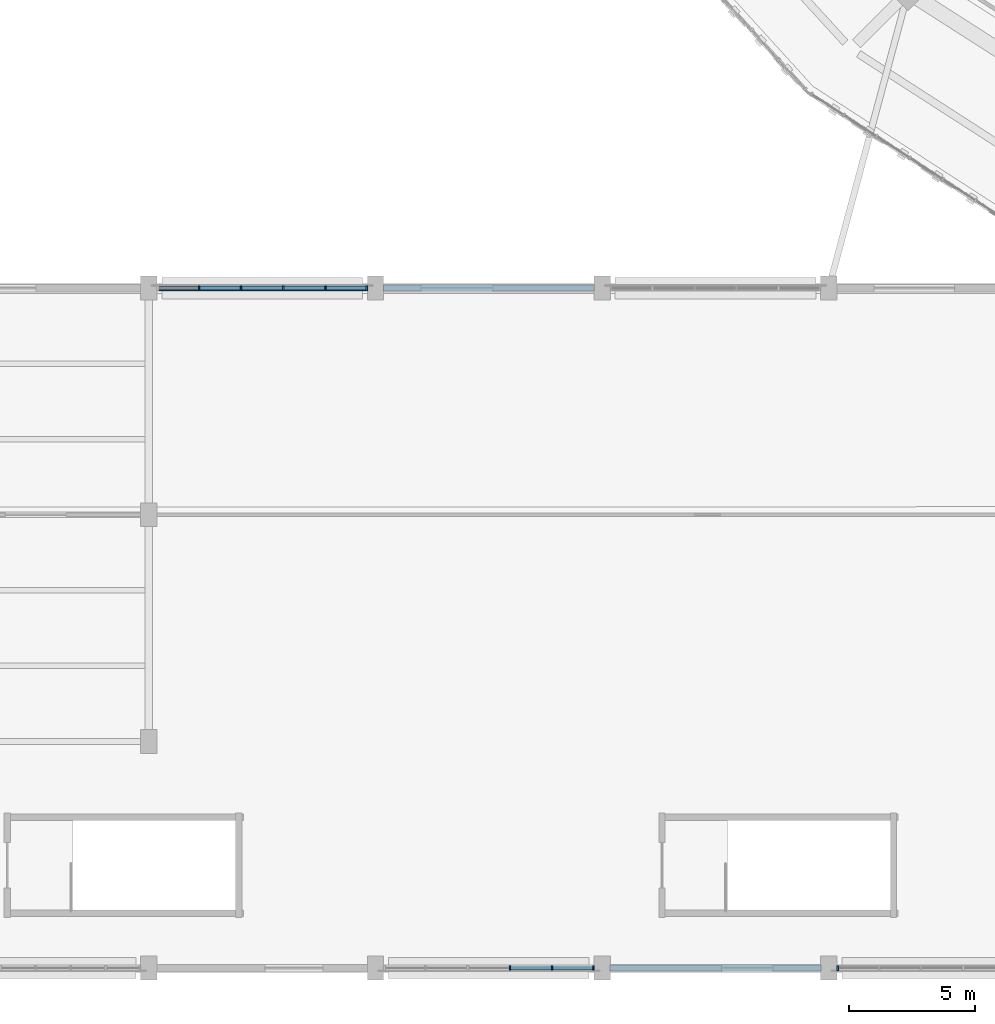
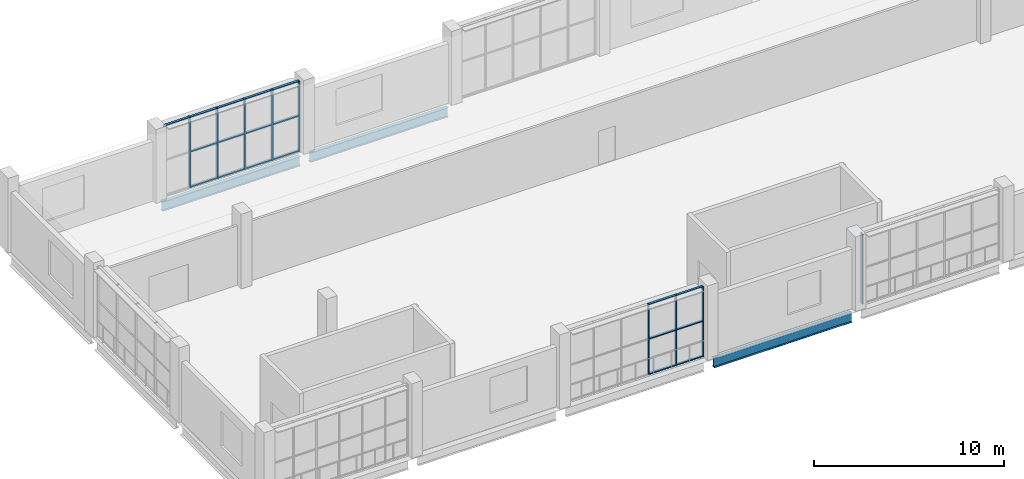
# One storey, part 4 of 152: 28 members, 3 beams, 3 elements without a shape of their own.
"""IFC4 building model written with IfcOpenShell, lengths in metres."""

from ifc_helpers import new_model, si_unit, direction, frame, origin, origin_2d, place, context, subcontext, project, spatial, rectangle, i_section, extrude, material, material_profile, profile_set, type_object, element, aggregate, save


model = new_model("IFC4")

# Units and contexts
model_context = context("Model", 3, precision=1e-05, world=origin(), true_north=direction((0.0, 1.0)))
body_context = subcontext(model_context, "Body", "Model", "MODEL_VIEW")
ifc_project = project(units=[si_unit("LENGTHUNIT", "METRE"), si_unit("AREAUNIT", "SQUARE_METRE"), si_unit("VOLUMEUNIT", "CUBIC_METRE"), si_unit("PLANEANGLEUNIT", "RADIAN"), si_unit("MASSUNIT", "GRAM", prefix="KILO")], contexts=[model_context])

# Site, building, storey
site_placement = place(None, origin())
site = spatial("IfcSite", under=ifc_project, at=site_placement, CompositionType="ELEMENT")
building_placement = place(site_placement, origin())
building = spatial("IfcBuilding", under=site, at=building_placement, Name="Zevraka Park Crest Stadium", CompositionType="ELEMENT")
storey_placement = place(building_placement, frame((0.0, 0.0, 15.0)))
storey = spatial("IfcBuildingStorey", under=building, at=storey_placement, Name="L03", CompositionType="ELEMENT", Elevation=15.0)

# Beams
ifc_material_1 = material(Name="Steel S355", Category="steel")
ifc_material_profile_1 = material_profile(ifc_material_1, i_section(OverallWidth=0.22900390625, OverallDepth=0.612060546875, WebThickness=0.011962890625, FlangeThickness=0.01953125, at=origin_2d()), Name="UKB 610x229x125")
ifc_profile_set_1 = profile_set([ifc_material_profile_1], Name="Steel S355")
beam_type = type_object("IfcBeamType", Name="BG09", PredefinedType="BEAM", material=ifc_profile_set_1)
for number, where, z_axis, x_axis, name in (
    (1, (18.300048828125, 27.0, -0.614013671875), (1.0, 0.0, 0.0), (0.0, 1.0, 0.0), "Wing Girder BG09 L03-34/D"),
    (2, (27.300048828125, 27.0, -0.614013671875), (1.0, 0.0, 0.0), (0.0, 1.0, 0.0), "Wing Girder BG09 L03-45/D"),
    (3, (36.300048828125, 0.0, -0.614013671875), (1.0, 0.0, 0.0), (0.0, 1.0, 0.0), "Wing Girder BG09 L03-56/A"),
):
    element("IfcBeam", number, at=place(storey_placement, frame(where, z_axis=z_axis, x_axis=x_axis)), inside=storey, type_object=beam_type, Name=name, PredefinedType="BEAM", context=body_context, shape_type="SweptSolid", body=[
        extrude(i_section(OverallWidth=0.22900390625, OverallDepth=0.612060546875, WebThickness=0.011962890625, FlangeThickness=0.01953125, at=origin_2d()), origin(), (0.0, 0.0, 1.0), 8.39990234375),
    ])

# Curtain wall, members
ifc_material_2 = material(Name="Anodised architectural aluminium and laminated safety glass", Category="aluminium")
curtain_wall_type_1 = type_object("IfcCurtainWallType", Name="CW29", PredefinedType="NOTDEFINED", material=ifc_material_2)
curtain_wall_1_placement = place(storey_placement, origin())
curtain_wall_1 = element("IfcCurtainWall", 4, at=curtain_wall_1_placement, inside=storey, type_object=curtain_wall_type_1, Name="Wing Curtain Wall CW29 L03-SW-S3-6", PredefinedType="NOTDEFINED")
ifc_material_3 = material(Name="Anodised architectural aluminium", Category="aluminium")
ifc_material_profile_2 = material_profile(ifc_material_3, rectangle(XDim=0.179931640625, YDim=0.06494140625, at=origin_2d()), Name="ALU MULLION 180x65")
ifc_profile_set_2 = profile_set([ifc_material_profile_2], Name="Anodised architectural aluminium")
member_type_1 = type_object("IfcMemberType", Name="CM02", PredefinedType="MULLION", material=ifc_profile_set_2)
member_1_placement = place(storey_placement, frame((35.652587890625, 0.0, 0.0), z_axis=(0.0, 0.0, 1.0), x_axis=(0.0, -1.0, 0.0)))
member_1 = element("IfcMember", 5, at=member_1_placement, type_object=member_type_1, Name="CW29 mullion 1", PredefinedType="MULLION", context=body_context, shape_type="SweptSolid", body=[
    extrude(rectangle(XDim=0.179931640625, YDim=0.06494140625, at=origin_2d()), origin(), (0.0, 0.0, 1.0), 4.5400390625),
])
member_2_placement = place(storey_placement, frame((34.010986328125, 0.0, 0.0), z_axis=(0.0, 0.0, 1.0), x_axis=(0.0, -1.0, 0.0)))
member_2 = element("IfcMember", 6, at=member_2_placement, type_object=member_type_1, Name="CW29 mullion 2", PredefinedType="MULLION", context=body_context, shape_type="SweptSolid", body=[
    extrude(rectangle(XDim=0.179931640625, YDim=0.06494140625, at=origin_2d()), origin(), (0.0, 0.0, 1.0), 4.5400390625),
])
member_3_placement = place(storey_placement, frame((32.3369140625, 0.0, 0.0), z_axis=(0.0, 0.0, 1.0), x_axis=(0.0, -1.0, 0.0)))
member_3 = element("IfcMember", 7, at=member_3_placement, type_object=member_type_1, Name="CW29 mullion 3", PredefinedType="MULLION", context=body_context, shape_type="SweptSolid", body=[
    extrude(rectangle(XDim=0.179931640625, YDim=0.06494140625, at=origin_2d()), origin(), (0.0, 0.0, 1.0), 4.5400390625),
])

# Curtain wall, member
ifc_material_4 = material(Name="Anodised architectural aluminium and laminated safety glass", Category="aluminium")
curtain_wall_type_2 = type_object("IfcCurtainWallType", Name="CW27", PredefinedType="NOTDEFINED", material=ifc_material_4)
curtain_wall_2_placement = place(storey_placement, origin())
curtain_wall_2 = element("IfcCurtainWall", 8, at=curtain_wall_2_placement, inside=storey, type_object=curtain_wall_type_2, Name="Wing Curtain Wall CW27 L03-SW-S3-4", PredefinedType="NOTDEFINED")
ifc_material_5 = material(Name="Anodised architectural aluminium", Category="aluminium")
ifc_material_profile_3 = material_profile(ifc_material_5, rectangle(XDim=0.199951171875, YDim=0.070068359375, at=origin_2d()), Name="ALU MULLION 200x70")
ifc_profile_set_3 = profile_set([ifc_material_profile_3], Name="Anodised architectural aluminium")
member_type_2 = type_object("IfcMemberType", Name="CM03", PredefinedType="MULLION", material=ifc_profile_set_3)
member_4_placement = place(storey_placement, frame((45.35009765625, 0.0, 0.0), z_axis=(0.0, 0.0, 1.0), x_axis=(0.0, -1.0, 0.0)))
member_4 = element("IfcMember", 9, at=member_4_placement, type_object=member_type_2, Name="CW27 mullion 6", PredefinedType="MULLION", context=body_context, shape_type="SweptSolid", body=[
    extrude(rectangle(XDim=0.199951171875, YDim=0.070068359375, at=origin_2d()), origin(), (0.0, 0.0, 1.0), 4.5400390625),
])
aggregate(curtain_wall_2, [member_4])

# Curtain wall, members
ifc_material_6 = material(Name="Anodised architectural aluminium and laminated safety glass", Category="aluminium")
curtain_wall_type_3 = type_object("IfcCurtainWallType", Name="CW30", PredefinedType="NOTDEFINED", material=ifc_material_6)
curtain_wall_3_placement = place(storey_placement, origin())
curtain_wall_3 = element("IfcCurtainWall", 10, at=curtain_wall_3_placement, inside=storey, type_object=curtain_wall_type_3, Name="Wing Curtain Wall CW30 L03-SW-N-2", PredefinedType="NOTDEFINED")
member_5_placement = place(storey_placement, frame((19.989013671875, 27.0, 0.0), z_axis=(0.0, 0.0, 1.0), x_axis=(0.0, 1.0, 0.0)))
member_5 = element("IfcMember", 11, at=member_5_placement, type_object=member_type_2, Name="CW30 mullion 2", PredefinedType="MULLION", context=body_context, shape_type="SweptSolid", body=[
    extrude(rectangle(XDim=0.199951171875, YDim=0.070068359375, at=origin_2d()), origin(), (0.0, 0.0, 1.0), 4.5400390625),
])
member_6_placement = place(storey_placement, frame((21.6630859375, 27.0, 0.0), z_axis=(0.0, 0.0, 1.0), x_axis=(0.0, 1.0, 0.0)))
member_6 = element("IfcMember", 12, at=member_6_placement, type_object=member_type_2, Name="CW30 mullion 3", PredefinedType="MULLION", context=body_context, shape_type="SweptSolid", body=[
    extrude(rectangle(XDim=0.199951171875, YDim=0.070068359375, at=origin_2d()), origin(), (0.0, 0.0, 1.0), 4.5400390625),
])
member_7_placement = place(storey_placement, frame((23.3369140625, 27.0, 0.0), z_axis=(0.0, 0.0, 1.0), x_axis=(0.0, 1.0, 0.0)))
member_7 = element("IfcMember", 13, at=member_7_placement, type_object=member_type_2, Name="CW30 mullion 4", PredefinedType="MULLION", context=body_context, shape_type="SweptSolid", body=[
    extrude(rectangle(XDim=0.199951171875, YDim=0.070068359375, at=origin_2d()), origin(), (0.0, 0.0, 1.0), 4.5400390625),
])
member_8_placement = place(storey_placement, frame((25.010986328125, 27.0, 0.0), z_axis=(0.0, 0.0, 1.0), x_axis=(0.0, 1.0, 0.0)))
member_8 = element("IfcMember", 14, at=member_8_placement, type_object=member_type_2, Name="CW30 mullion 5", PredefinedType="MULLION", context=body_context, shape_type="SweptSolid", body=[
    extrude(rectangle(XDim=0.199951171875, YDim=0.070068359375, at=origin_2d()), origin(), (0.0, 0.0, 1.0), 4.5400390625),
])
member_9_placement = place(storey_placement, frame((26.64990234375, 27.0, 0.0), z_axis=(0.0, 0.0, 1.0), x_axis=(0.0, 1.0, 0.0)))
member_9 = element("IfcMember", 15, at=member_9_placement, type_object=member_type_2, Name="CW30 mullion 6", PredefinedType="MULLION", context=body_context, shape_type="SweptSolid", body=[
    extrude(rectangle(XDim=0.199951171875, YDim=0.070068359375, at=origin_2d()), origin(), (0.0, 0.0, 1.0), 4.5400390625),
])

# Member
ifc_material_7 = material(Name="Anodised architectural aluminium", Category="aluminium")
ifc_material_profile_4 = material_profile(ifc_material_7, rectangle(XDim=0.139892578125, YDim=0.06494140625, at=origin_2d()), Name="ALU TRANSOM 140x65")
ifc_profile_set_4 = profile_set([ifc_material_profile_4], Name="Anodised architectural aluminium")
member_type_3 = type_object("IfcMemberType", Name="CT02", PredefinedType="USERDEFINED", material=ifc_profile_set_4)
member_10_placement = place(storey_placement, frame((35.6201171875, 0.0, 0.032470703125), z_axis=(-1.0, 0.0, 0.0), x_axis=(0.0, -1.0, 0.0)))
member_10 = element("IfcMember", 16, at=member_10_placement, type_object=member_type_3, Name="CW29 transom 1.1", ObjectType="TRANSOM", PredefinedType="USERDEFINED", context=body_context, shape_type="SweptSolid", body=[
    extrude(rectangle(XDim=0.139892578125, YDim=0.06494140625, at=origin_2d()), origin(), (0.0, 0.0, 1.0), 1.57666015625),
])

member_11_placement = place(storey_placement, frame((35.6201171875, 0.0, 2.300048828125), z_axis=(-1.0, 0.0, 0.0), x_axis=(0.0, -1.0, 0.0)))
member_11 = element("IfcMember", 17, at=member_11_placement, type_object=member_type_3, Name="CW29 transom 1.2", ObjectType="TRANSOM", PredefinedType="USERDEFINED", context=body_context, shape_type="SweptSolid", body=[
    extrude(rectangle(XDim=0.139892578125, YDim=0.06494140625, at=origin_2d()), origin(), (0.0, 0.0, 1.0), 1.57666015625),
])

member_12_placement = place(storey_placement, frame((35.6201171875, 0.0, 4.507568359375), z_axis=(-1.0, 0.0, 0.0), x_axis=(0.0, -1.0, 0.0)))
member_12 = element("IfcMember", 18, at=member_12_placement, type_object=member_type_3, Name="CW29 transom 1.3", ObjectType="TRANSOM", PredefinedType="USERDEFINED", context=body_context, shape_type="SweptSolid", body=[
    extrude(rectangle(XDim=0.139892578125, YDim=0.06494140625, at=origin_2d()), origin(), (0.0, 0.0, 1.0), 1.57666015625),
])

member_13_placement = place(storey_placement, frame((33.978515625, 0.0, 0.032470703125), z_axis=(-1.0, 0.0, 0.0), x_axis=(0.0, -1.0, 0.0)))
member_13 = element("IfcMember", 19, at=member_13_placement, type_object=member_type_3, Name="CW29 transom 2.1", ObjectType="TRANSOM", PredefinedType="USERDEFINED", context=body_context, shape_type="SweptSolid", body=[
    extrude(rectangle(XDim=0.139892578125, YDim=0.06494140625, at=origin_2d()), origin(), (0.0, 0.0, 1.0), 1.609130859375),
])

member_14_placement = place(storey_placement, frame((33.978515625, 0.0, 2.300048828125), z_axis=(-1.0, 0.0, 0.0), x_axis=(0.0, -1.0, 0.0)))
member_14 = element("IfcMember", 20, at=member_14_placement, type_object=member_type_3, Name="CW29 transom 2.2", ObjectType="TRANSOM", PredefinedType="USERDEFINED", context=body_context, shape_type="SweptSolid", body=[
    extrude(rectangle(XDim=0.139892578125, YDim=0.06494140625, at=origin_2d()), origin(), (0.0, 0.0, 1.0), 1.609130859375),
])

member_15_placement = place(storey_placement, frame((33.978515625, 0.0, 4.507568359375), z_axis=(-1.0, 0.0, 0.0), x_axis=(0.0, -1.0, 0.0)))
member_15 = element("IfcMember", 21, at=member_15_placement, type_object=member_type_3, Name="CW29 transom 2.3", ObjectType="TRANSOM", PredefinedType="USERDEFINED", context=body_context, shape_type="SweptSolid", body=[
    extrude(rectangle(XDim=0.139892578125, YDim=0.06494140625, at=origin_2d()), origin(), (0.0, 0.0, 1.0), 1.609130859375),
])

aggregate(curtain_wall_1, [member_1, member_2, member_3, member_10, member_11, member_12, member_13, member_14, member_15])

ifc_material_8 = material(Name="Anodised architectural aluminium", Category="aluminium")
ifc_material_profile_5 = material_profile(ifc_material_8, rectangle(XDim=0.14990234375, YDim=0.070068359375, at=origin_2d()), Name="ALU TRANSOM 150x70")
ifc_profile_set_5 = profile_set([ifc_material_profile_5], Name="Anodised architectural aluminium")
member_type_4 = type_object("IfcMemberType", Name="CT03", PredefinedType="USERDEFINED", material=ifc_profile_set_5)
member_16_placement = place(storey_placement, frame((18.385009765625, 27.0, 4.5048828125), z_axis=(1.0, 0.0, 0.0), x_axis=(0.0, 1.0, 0.0)))
member_16 = element("IfcMember", 22, at=member_16_placement, type_object=member_type_4, Name="CW30 transom 1.3", ObjectType="TRANSOM", PredefinedType="USERDEFINED", context=body_context, shape_type="SweptSolid", body=[
    extrude(rectangle(XDim=0.14990234375, YDim=0.070068359375, at=origin_2d()), origin(), (0.0, 0.0, 1.0), 1.569091796875),
])

member_17_placement = place(storey_placement, frame((20.02392578125, 27.0, 0.034912109375), z_axis=(1.0, 0.0, 0.0), x_axis=(0.0, 1.0, 0.0)))
member_17 = element("IfcMember", 23, at=member_17_placement, type_object=member_type_4, Name="CW30 transom 2.1", ObjectType="TRANSOM", PredefinedType="USERDEFINED", context=body_context, shape_type="SweptSolid", body=[
    extrude(rectangle(XDim=0.14990234375, YDim=0.070068359375, at=origin_2d()), origin(), (0.0, 0.0, 1.0), 1.60400390625),
])

member_18_placement = place(storey_placement, frame((20.02392578125, 27.0, 2.300048828125), z_axis=(1.0, 0.0, 0.0), x_axis=(0.0, 1.0, 0.0)))
member_18 = element("IfcMember", 24, at=member_18_placement, type_object=member_type_4, Name="CW30 transom 2.2", ObjectType="TRANSOM", PredefinedType="USERDEFINED", context=body_context, shape_type="SweptSolid", body=[
    extrude(rectangle(XDim=0.14990234375, YDim=0.070068359375, at=origin_2d()), origin(), (0.0, 0.0, 1.0), 1.60400390625),
])

member_19_placement = place(storey_placement, frame((20.02392578125, 27.0, 4.5048828125), z_axis=(1.0, 0.0, 0.0), x_axis=(0.0, 1.0, 0.0)))
member_19 = element("IfcMember", 25, at=member_19_placement, type_object=member_type_4, Name="CW30 transom 2.3", ObjectType="TRANSOM", PredefinedType="USERDEFINED", context=body_context, shape_type="SweptSolid", body=[
    extrude(rectangle(XDim=0.14990234375, YDim=0.070068359375, at=origin_2d()), origin(), (0.0, 0.0, 1.0), 1.60400390625),
])

member_20_placement = place(storey_placement, frame((21.697998046875, 27.0, 0.034912109375), z_axis=(1.0, 0.0, 0.0), x_axis=(0.0, 1.0, 0.0)))
member_20 = element("IfcMember", 26, at=member_20_placement, type_object=member_type_4, Name="CW30 transom 3.1", ObjectType="TRANSOM", PredefinedType="USERDEFINED", context=body_context, shape_type="SweptSolid", body=[
    extrude(rectangle(XDim=0.14990234375, YDim=0.070068359375, at=origin_2d()), origin(), (0.0, 0.0, 1.0), 1.60400390625),
])

member_21_placement = place(storey_placement, frame((21.697998046875, 27.0, 2.300048828125), z_axis=(1.0, 0.0, 0.0), x_axis=(0.0, 1.0, 0.0)))
member_21 = element("IfcMember", 27, at=member_21_placement, type_object=member_type_4, Name="CW30 transom 3.2", ObjectType="TRANSOM", PredefinedType="USERDEFINED", context=body_context, shape_type="SweptSolid", body=[
    extrude(rectangle(XDim=0.14990234375, YDim=0.070068359375, at=origin_2d()), origin(), (0.0, 0.0, 1.0), 1.60400390625),
])

member_22_placement = place(storey_placement, frame((21.697998046875, 27.0, 4.5048828125), z_axis=(1.0, 0.0, 0.0), x_axis=(0.0, 1.0, 0.0)))
member_22 = element("IfcMember", 28, at=member_22_placement, type_object=member_type_4, Name="CW30 transom 3.3", ObjectType="TRANSOM", PredefinedType="USERDEFINED", context=body_context, shape_type="SweptSolid", body=[
    extrude(rectangle(XDim=0.14990234375, YDim=0.070068359375, at=origin_2d()), origin(), (0.0, 0.0, 1.0), 1.60400390625),
])

member_23_placement = place(storey_placement, frame((23.3720703125, 27.0, 0.034912109375), z_axis=(1.0, 0.0, 0.0), x_axis=(0.0, 1.0, 0.0)))
member_23 = element("IfcMember", 29, at=member_23_placement, type_object=member_type_4, Name="CW30 transom 4.1", ObjectType="TRANSOM", PredefinedType="USERDEFINED", context=body_context, shape_type="SweptSolid", body=[
    extrude(rectangle(XDim=0.14990234375, YDim=0.070068359375, at=origin_2d()), origin(), (0.0, 0.0, 1.0), 1.60400390625),
])

member_24_placement = place(storey_placement, frame((23.3720703125, 27.0, 2.300048828125), z_axis=(1.0, 0.0, 0.0), x_axis=(0.0, 1.0, 0.0)))
member_24 = element("IfcMember", 30, at=member_24_placement, type_object=member_type_4, Name="CW30 transom 4.2", ObjectType="TRANSOM", PredefinedType="USERDEFINED", context=body_context, shape_type="SweptSolid", body=[
    extrude(rectangle(XDim=0.14990234375, YDim=0.070068359375, at=origin_2d()), origin(), (0.0, 0.0, 1.0), 1.60400390625),
])

member_25_placement = place(storey_placement, frame((23.3720703125, 27.0, 4.5048828125), z_axis=(1.0, 0.0, 0.0), x_axis=(0.0, 1.0, 0.0)))
member_25 = element("IfcMember", 31, at=member_25_placement, type_object=member_type_4, Name="CW30 transom 4.3", ObjectType="TRANSOM", PredefinedType="USERDEFINED", context=body_context, shape_type="SweptSolid", body=[
    extrude(rectangle(XDim=0.14990234375, YDim=0.070068359375, at=origin_2d()), origin(), (0.0, 0.0, 1.0), 1.60400390625),
])

member_26_placement = place(storey_placement, frame((25.0458984375, 27.0, 0.034912109375), z_axis=(1.0, 0.0, 0.0), x_axis=(0.0, 1.0, 0.0)))
member_26 = element("IfcMember", 32, at=member_26_placement, type_object=member_type_4, Name="CW30 transom 5.1", ObjectType="TRANSOM", PredefinedType="USERDEFINED", context=body_context, shape_type="SweptSolid", body=[
    extrude(rectangle(XDim=0.14990234375, YDim=0.070068359375, at=origin_2d()), origin(), (0.0, 0.0, 1.0), 1.569091796875),
])

member_27_placement = place(storey_placement, frame((25.0458984375, 27.0, 2.300048828125), z_axis=(1.0, 0.0, 0.0), x_axis=(0.0, 1.0, 0.0)))
member_27 = element("IfcMember", 33, at=member_27_placement, type_object=member_type_4, Name="CW30 transom 5.2", ObjectType="TRANSOM", PredefinedType="USERDEFINED", context=body_context, shape_type="SweptSolid", body=[
    extrude(rectangle(XDim=0.14990234375, YDim=0.070068359375, at=origin_2d()), origin(), (0.0, 0.0, 1.0), 1.569091796875),
])

member_28_placement = place(storey_placement, frame((25.0458984375, 27.0, 4.5048828125), z_axis=(1.0, 0.0, 0.0), x_axis=(0.0, 1.0, 0.0)))
member_28 = element("IfcMember", 34, at=member_28_placement, type_object=member_type_4, Name="CW30 transom 5.3", ObjectType="TRANSOM", PredefinedType="USERDEFINED", context=body_context, shape_type="SweptSolid", body=[
    extrude(rectangle(XDim=0.14990234375, YDim=0.070068359375, at=origin_2d()), origin(), (0.0, 0.0, 1.0), 1.569091796875),
])

aggregate(curtain_wall_3, [member_5, member_6, member_7, member_8, member_9, member_16, member_17, member_18, member_19, member_20, member_21, member_22, member_23, member_24, member_25, member_26, member_27, member_28])

save(model, "model.ifc")
